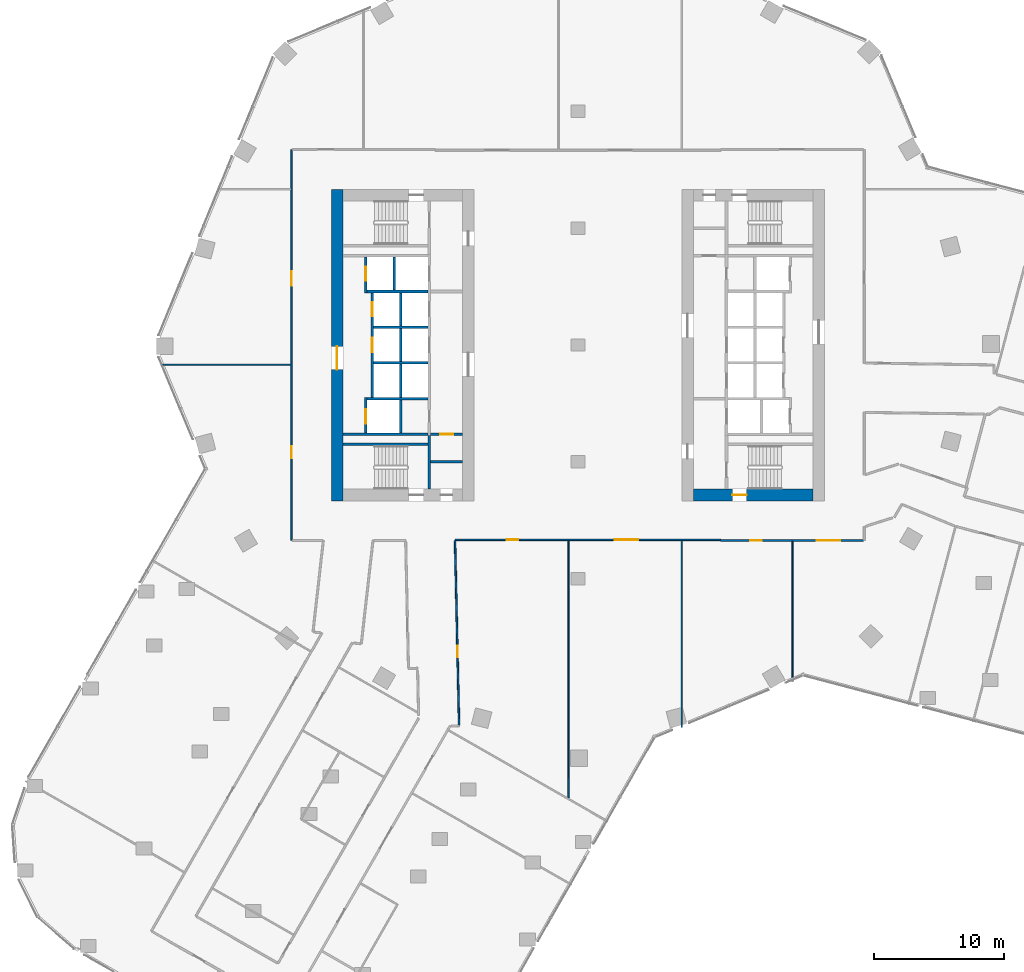
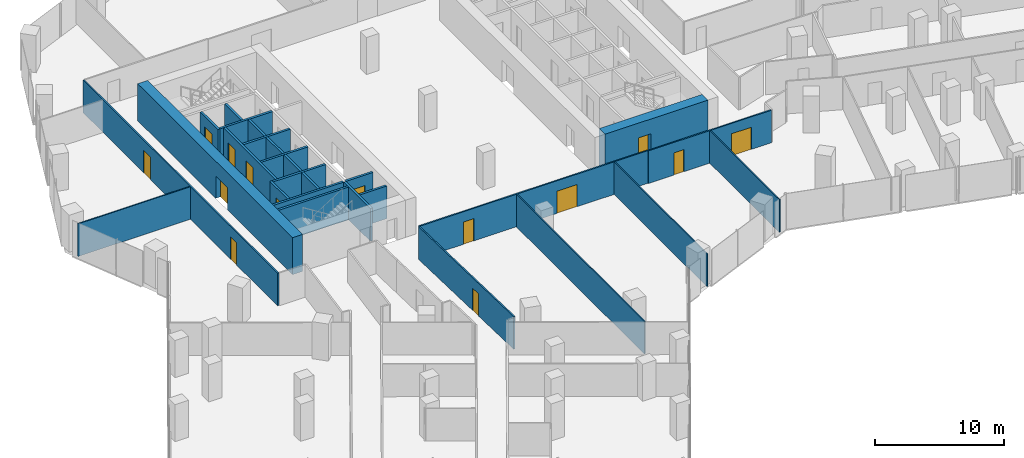
# One storey, part 27 of 34: 27 walls, 14 doors, 14 openings.
"""IFC4 building model written with IfcOpenShell, lengths in metres."""

import ifcopenshell
import ifcopenshell.guid

model = None  # the IFC model being written
_history = None  # IfcOwnerHistory: only IFC2X3 demands one
_inside = {}  # id of a spatial element -> (the spatial element, [elements in it])
_under = {}  # id of a project, library or spatial element -> (it, [spatial elements below it])
_declared = {}  # id of a project -> (the project, [libraries it declares])
_typed = {}  # id of a type object -> (the type object, [elements of that type])
_made_of = {}  # id of a material, layer set ... -> (it, [elements and type objects made of it])


def new_model(schema):
    """Start an empty IFC model of exactly this schema.

    Asked for "IFC4X3", IfcOpenShell would pick the latest addendum, in which some entities
    have other attributes; the version numbers below select the first issue.
    IFC2X3 requires an IfcOwnerHistory on every rooted entity: one is made here for all.
    """
    global model, _history
    if schema == "IFC4X3":
        model = ifcopenshell.file(schema_version=(4, 3, 0, 0))
    else:
        model = ifcopenshell.file(schema=schema)
    _inside.clear()
    _under.clear()
    _declared.clear()
    _typed.clear()
    _made_of.clear()
    _history = None
    if model.schema == "IFC2X3":
        org = make("IfcOrganization", Name="unknown")
        user = make(
            "IfcPersonAndOrganization",
            ThePerson=make("IfcPerson", FamilyName="unknown"),
            TheOrganization=org,
        )
        app = make(
            "IfcApplication",
            ApplicationDeveloper=org,
            Version="unknown",
            ApplicationFullName="unknown",
            ApplicationIdentifier="unknown",
        )
        _history = make(
            "IfcOwnerHistory",
            OwningUser=user,
            OwningApplication=app,
            ChangeAction="ADDED",
            CreationDate=0,
        )
    return model


def make(cls, **values):
    """One entity of the class cls with the attributes given. An attribute that is None is left unset."""
    return model.create_entity(
        cls, **{name: value for name, value in values.items() if value is not None}
    )


def rooted(cls, **values):
    """An entity with a GlobalId (a new one), such as an element, a storey or a relation."""
    return make(cls, GlobalId=ifcopenshell.guid.new(), OwnerHistory=_history, **values)


def si_unit(unit_type, name, prefix=None):
    """IfcSIUnit, for example si_unit("LENGTHUNIT", "METRE", prefix="MILLI")."""
    return make("IfcSIUnit", UnitType=unit_type, Prefix=prefix, Name=name)


def assignment(units):
    """IfcUnitAssignment: the units of a project."""
    return None if units is None else make("IfcUnitAssignment", Units=units)


def point(xyz):
    """IfcCartesianPoint."""
    return None if xyz is None else make("IfcCartesianPoint", Coordinates=xyz)


def direction(xyz):
    """IfcDirection."""
    return None if xyz is None else make("IfcDirection", DirectionRatios=xyz)


def frame(location, z_axis=None, x_axis=None):
    """IfcAxis2Placement3D, a coordinate frame: its origin and axes. An axis left out is left unset."""
    return make(
        "IfcAxis2Placement3D",
        Location=point(location),
        Axis=direction(z_axis),
        RefDirection=direction(x_axis),
    )


def frame_2d(location, x_axis=None):
    """IfcAxis2Placement2D, a coordinate frame in the plane: its origin and x axis."""
    return make(
        "IfcAxis2Placement2D", Location=point(location), RefDirection=direction(x_axis)
    )


def origin():
    """The frame at (0, 0, 0) with its axes left unset."""
    return frame((0.0, 0.0, 0.0))


def place(relative_to, where):
    """IfcLocalPlacement: puts the frame where relative to a parent placement (None: the world)."""
    return make(
        "IfcLocalPlacement", PlacementRelTo=relative_to, RelativePlacement=where
    )


def context(
    kind, dimensions, precision=None, world=None, true_north=None, identifier=None
):
    """IfcGeometricRepresentationContext, for example the 3D "Model" context."""
    return make(
        "IfcGeometricRepresentationContext",
        ContextIdentifier=identifier,
        ContextType=kind,
        CoordinateSpaceDimension=dimensions,
        Precision=precision,
        WorldCoordinateSystem=world,
        TrueNorth=true_north,
    )


def subcontext(parent, identifier, kind, view, scale=None):
    """IfcGeometricRepresentationSubContext, for example "Body" below "Model"."""
    return make(
        "IfcGeometricRepresentationSubContext",
        ContextIdentifier=identifier,
        ContextType=kind,
        ParentContext=parent,
        TargetScale=scale,
        TargetView=view,
    )


def project(units=None, contexts=None):
    """IfcProject with its units and contexts."""
    return rooted(
        "IfcProject",
        Name="project",
        RepresentationContexts=contexts,
        UnitsInContext=assignment(units),
    )


def spatial(cls, under=None, at=None, **own):
    """A site, building, storey or space (cls), placed at a placement, below another one or the project."""
    s = rooted(cls, ObjectPlacement=at, **own)
    if under is not None:
        _under.setdefault(under.id(), (under, []))[1].append(s)
    return s


def profile(cls, at=None, kind="AREA", **sizes):
    """A parametric profile (cls). Its sizes go by their IFC names, for example OverallWidth=200.0."""
    return make(cls, ProfileType=kind, Position=at, **sizes)


def rectangle(**sizes):
    """IfcRectangleProfileDef."""
    return profile("IfcRectangleProfileDef", **sizes)


def extrude(swept, where, along, depth):
    """IfcExtrudedAreaSolid: the profile swept, set in the frame where, extruded along a direction by depth."""
    return make(
        "IfcExtrudedAreaSolid",
        SweptArea=swept,
        Position=where,
        ExtrudedDirection=direction(along),
        Depth=depth,
    )


def shape(context_of_items, identifier, shape_type, items):
    """IfcShapeRepresentation: the items that make up one representation, for example the "Body"."""
    return make(
        "IfcShapeRepresentation",
        ContextOfItems=context_of_items,
        RepresentationIdentifier=identifier,
        RepresentationType=shape_type,
        Items=items,
    )


def material(Name=None, Category=None):
    """IfcMaterial."""
    return make("IfcMaterial", Name=Name, Category=Category)


def layer(
    of_material, thickness, ventilated=None, Name=None, Category=None, Priority=None
):
    """IfcMaterialLayer: one layer of a wall or slab, of a material (None: an air gap)."""
    return make(
        "IfcMaterialLayer",
        Material=of_material,
        LayerThickness=thickness,
        IsVentilated=ventilated,
        Name=Name,
        Category=Category,
        Priority=Priority,
    )


def layer_set(layers, Name=None):
    """IfcMaterialLayerSet."""
    return make("IfcMaterialLayerSet", MaterialLayers=layers, LayerSetName=Name)


def made_of(thing, what):
    """Note that an element or type object is made of a material, layer set ...; save() writes the relation."""
    if what is not None:
        _made_of.setdefault(what.id(), (what, []))[1].append(thing)
    return thing


def type_object(cls, material=None, **own):
    """A type object (cls), such as IfcWallType, which elements share."""
    return made_of(rooted(cls, **own), material)


def element(
    cls,
    number,
    at=None,
    inside=None,
    cuts=None,
    type_object=None,
    material=None,
    context=None,
    identifier="Body",
    shape_type=None,
    held_by="IfcProductDefinitionShape",
    body=None,
    shapes=None,
    **own,
):
    """One element of the class cls, such as IfcWall. Its Tag is "e" and its number.

    at: its placement. inside: the storey or other place that contains it. cuts: it is an
    opening in that element (IfcRelVoidsElement). A single representation is given by context,
    identifier, shape_type and body (its items); several are given by shapes. held_by: the class
    of the entity that holds the representations. save() writes the other relations.
    """
    e = rooted(cls, Tag="e%d" % number, ObjectPlacement=at, **own)
    if body is not None:
        shapes = [shape(context, identifier, shape_type, body)]
    if shapes is not None:
        e.Representation = make(held_by, Representations=shapes)
    if inside is not None:
        _inside.setdefault(inside.id(), (inside, []))[1].append(e)
    if cuts is not None:
        rooted(
            "IfcRelVoidsElement", RelatingBuildingElement=cuts, RelatedOpeningElement=e
        )
    if type_object is not None:
        _typed.setdefault(type_object.id(), (type_object, []))[1].append(e)
    return made_of(e, material)


def fill(opening, filler):
    """IfcRelFillsElement: the door or window that sits in an opening."""
    return rooted(
        "IfcRelFillsElement",
        RelatingOpeningElement=opening,
        RelatedBuildingElement=filler,
    )


def aggregate(whole, parts):
    """IfcRelAggregates: a whole, such as a stair, and the parts it consists of."""
    return rooted("IfcRelAggregates", RelatingObject=whole, RelatedObjects=parts)


def save(model, path):
    """Write the relations noted so far, then the file.

    IfcRelAggregates (storeys below a building ...), IfcRelContainedInSpatialStructure (elements
    in a storey), IfcRelDefinesByType, IfcRelAssociatesMaterial and IfcRelDeclares: one each for
    every whole, place, type object, material and project.
    """
    for whole, parts in _under.values():
        aggregate(whole, parts)
    for where, things in _inside.values():
        rooted(
            "IfcRelContainedInSpatialStructure",
            RelatedElements=things,
            RelatingStructure=where,
        )
    for kind, things in _typed.values():
        rooted("IfcRelDefinesByType", RelatedObjects=things, RelatingType=kind)
    for what, things in _made_of.values():
        rooted("IfcRelAssociatesMaterial", RelatedObjects=things, RelatingMaterial=what)
    for by, libraries in _declared.values():
        rooted("IfcRelDeclares", RelatingContext=by, RelatedDefinitions=libraries)
    model.write(path)


model = new_model("IFC4")

# Units and contexts
model_context = context("Model", 3, precision=1e-05, world=origin(), true_north=direction((0.0, 1.0)))
body_context = subcontext(model_context, "Body", "Model", "MODEL_VIEW")
ifc_project = project(units=[si_unit("LENGTHUNIT", "METRE"), si_unit("AREAUNIT", "SQUARE_METRE"), si_unit("VOLUMEUNIT", "CUBIC_METRE"), si_unit("PLANEANGLEUNIT", "RADIAN"), si_unit("MASSUNIT", "GRAM", prefix="KILO")], contexts=[model_context])

# Site, building, storey
site_placement = place(None, origin())
site = spatial("IfcSite", under=ifc_project, at=site_placement, CompositionType="ELEMENT")
building_placement = place(site_placement, origin())
building = spatial("IfcBuilding", under=site, at=building_placement, Name="Orlundy Tower", CompositionType="ELEMENT")
storey_placement = place(building_placement, frame((0.0, 0.0, 112.699951171875)))
storey = spatial("IfcBuildingStorey", under=building, at=storey_placement, Name="L28", CompositionType="ELEMENT", Elevation=112.699951171875)

# Wall, opening, door
ifc_material_1 = material(Name="Concrete C80/95", Category="concrete")
ifc_layer_1 = layer(ifc_material_1, 0.89990234375)
ifc_layer_set_1 = layer_set([ifc_layer_1], Name="CORE WALL 900 C80/95")
wall_type_1 = type_object("IfcWallType", Name="CORE WALL 900 C80/95", PredefinedType="SHEAR", material=ifc_layer_set_1)
wall_1_placement = place(storey_placement, frame((-18.550048828125, -12.0, 0.0), z_axis=(0.0, 0.0, 1.0), x_axis=(0.0, 1.0, 0.0)))
wall_1 = element("IfcWall", 1, at=wall_1_placement, inside=storey, type_object=wall_type_1, Name="Core wall W-W L28", PredefinedType="SHEAR", context=body_context, shape_type="SweptSolid", body=[
    extrude(rectangle(XDim=24.0, YDim=0.89990234375, at=frame_2d((12.0, 0.0))), origin(), (0.0, 0.0, 1.0), 3.5),
])
opening_1_placement = place(wall_1_placement, frame((10.10009765625, 0.0, 0.0)))
opening_1 = element("IfcOpeningElement", 2, at=opening_1_placement, cuts=wall_1, Name="Opening 21010", PredefinedType="OPENING", context=body_context, shape_type="SweptSolid", body=[
    extrude(rectangle(XDim=1.800048828125, YDim=2.10009765625, at=frame_2d((0.89990234375, 1.050048828125))), frame((0.0, 0.4599609375, 0.0), z_axis=(0.0, -1.0, 0.0), x_axis=(1.0, 0.0, 0.0)), (0.0, 0.0, 1.0), 0.919921875),
])
ifc_material_2 = material(Name="Timber door set", Category="wood")
door_type_1 = type_object("IfcDoorType", Name="Lobby Door 1800x2100", OperationType="DOUBLE_DOOR_DOUBLE_SWING", PredefinedType="DOOR", material=ifc_material_2)
door_1_placement = place(opening_1_placement, origin())
door_1 = element("IfcDoor", 3, at=door_1_placement, inside=storey, type_object=door_type_1, Name="Lift lobby door 21010", OperationType="SINGLE_SWING_LEFT", OverallHeight=2.10009765625, OverallWidth=1.800048828125, PredefinedType="DOOR", context=body_context, shape_type="SweptSolid", body=[
    extrude(rectangle(XDim=1.800048828125, YDim=2.10009765625, at=frame_2d((0.89990234375, 1.050048828125))), frame((0.0, 0.02490234375, 0.0), z_axis=(0.0, -1.0, 0.0), x_axis=(1.0, 0.0, 0.0)), (0.0, 0.0, 1.0), 0.050048828125),
])
fill(opening_1, door_1)

wall_2_placement = place(storey_placement, frame((8.89990234375, -11.550048828125, 0.0), z_axis=(0.0, 0.0, 1.0), x_axis=(1.0, 0.0, 0.0)))
wall_2 = element("IfcWall", 4, at=wall_2_placement, inside=storey, type_object=wall_type_1, Name="Core wall E-S L28", PredefinedType="SHEAR", context=body_context, shape_type="SweptSolid", body=[
    extrude(rectangle(XDim=9.2001953125, YDim=0.89990234375, at=frame_2d((4.60009765625, 0.0))), origin(), (0.0, 0.0, 1.0), 3.5),
])
opening_2_placement = place(wall_2_placement, frame((3.0, 0.0, 0.0)))
opening_2 = element("IfcOpeningElement", 5, at=opening_2_placement, cuts=wall_2, Name="Opening 21061", PredefinedType="OPENING", context=body_context, shape_type="SweptSolid", body=[
    extrude(rectangle(XDim=1.10009765625, YDim=2.10009765625, at=frame_2d((0.550048828125, 1.050048828125))), frame((0.0, 0.4599609375, 0.0), z_axis=(0.0, -1.0, 0.0), x_axis=(1.0, 0.0, 0.0)), (0.0, 0.0, 1.0), 0.919921875),
])
ifc_material_3 = material(Name="Steel door set", Category="steel")
door_type_2 = type_object("IfcDoorType", Name="Stair Door 1100x2100", OperationType="SINGLE_SWING_LEFT", PredefinedType="DOOR", material=ifc_material_3)
door_2_placement = place(opening_2_placement, origin())
door_2 = element("IfcDoor", 6, at=door_2_placement, inside=storey, type_object=door_type_2, Name="Stair door 21061", OperationType="SINGLE_SWING_LEFT", OverallHeight=2.10009765625, OverallWidth=1.10009765625, PredefinedType="DOOR", context=body_context, shape_type="SweptSolid", body=[
    extrude(rectangle(XDim=1.10009765625, YDim=2.10009765625, at=frame_2d((0.550048828125, 1.050048828125))), frame((0.0, 0.02490234375, 0.0), z_axis=(0.0, -1.0, 0.0), x_axis=(1.0, 0.0, 0.0)), (0.0, 0.0, 1.0), 0.050048828125),
])
fill(opening_2, door_2)

# Walls
ifc_material_4 = material(Name="Gypsum board partition")
ifc_layer_2 = layer(ifc_material_4, 0.10009765625)
ifc_layer_set_2 = layer_set([ifc_layer_2], Name="Floor partition 100")
wall_type_2 = type_object("IfcWallType", Name="Floor partition 100", PredefinedType="PARTITIONING", material=ifc_layer_set_2)
wall_3_placement = place(storey_placement, frame((-32.14599609375, -1.52392578125, 0.0), z_axis=(0.0, 0.0, 1.0), x_axis=(1.0, 0.0, 0.0)))
element("IfcWall", 7, at=wall_3_placement, inside=storey, type_object=wall_type_2, Name="wall-int-L28-035", PredefinedType="PARTITIONING", context=body_context, shape_type="SweptSolid", body=[
    extrude(rectangle(XDim=10.032958984375, YDim=0.10009765625, at=frame_2d((5.0166015625, 0.0))), origin(), (0.0, 0.0, 1.0), 3.080078125),
])
wall_4_placement = place(storey_placement, frame((16.52099609375, -25.882080078125, 0.0), z_axis=(0.0, 0.0, 1.0), x_axis=(0.0, 1.0, 0.0)))
element("IfcWall", 8, at=wall_4_placement, inside=storey, type_object=wall_type_2, Name="wall-int-L28-076", PredefinedType="PARTITIONING", context=body_context, shape_type="SweptSolid", body=[
    extrude(rectangle(XDim=10.76806640625, YDim=0.10009765625, at=frame_2d((5.384033203125, 0.0))), origin(), (0.0, 0.0, 1.0), 3.080078125),
])
wall_5_placement = place(storey_placement, frame((8.0, -29.44091796875, 0.0), z_axis=(0.0, 0.0, 1.0), x_axis=(0.0, 1.0, 0.0)))
element("IfcWall", 9, at=wall_5_placement, inside=storey, type_object=wall_type_2, Name="wall-int-L28-077", PredefinedType="PARTITIONING", context=body_context, shape_type="SweptSolid", body=[
    extrude(rectangle(XDim=14.3779296875, YDim=0.10009765625, at=frame_2d((7.18896484375, 0.0))), origin(), (0.0, 0.0, 1.0), 3.080078125),
])
wall_6_placement = place(storey_placement, frame((-0.735107421875, -34.8740234375, 0.0), z_axis=(0.0, 0.0, 1.0), x_axis=(6.1614294e-05, 0.999999998102, 0.0)))
element("IfcWall", 10, at=wall_6_placement, inside=storey, type_object=wall_type_2, Name="wall-int-L28-079", PredefinedType="PARTITIONING", context=body_context, shape_type="SweptSolid", body=[
    extrude(rectangle(XDim=19.81201171875, YDim=0.10009765625, at=frame_2d((9.906005859375, 0.0))), origin(), (0.0, 0.0, 1.0), 3.080078125),
])

# Wall, opening, door
ifc_material_5 = material(Name="Gypsum board partition, double layer")
ifc_layer_3 = layer(ifc_material_5, 0.125)
ifc_layer_set_3 = layer_set([ifc_layer_3], Name="Floor partition 125")
wall_type_3 = type_object("IfcWallType", Name="Floor partition 125", PredefinedType="PARTITIONING", material=ifc_layer_set_3)
wall_7_placement = place(storey_placement, frame((-9.467041015625, -15.06201171875, 0.0), z_axis=(0.0, 0.0, 1.0), x_axis=(0.021956487302, -0.999758927275, 0.0)))
wall_7 = element("IfcWall", 11, at=wall_7_placement, inside=storey, type_object=wall_type_3, Name="wall-int-L28-004", PredefinedType="PARTITIONING", context=body_context, shape_type="SweptSolid", body=[
    extrude(rectangle(XDim=14.21044921875, YDim=0.125, at=frame_2d((7.105224609375, 0.0))), origin(), (0.0, 0.0, 1.0), 3.080078125),
])
opening_3_placement = place(wall_7_placement, frame((8.09521484375, 0.0, 0.0)))
opening_3 = element("IfcOpeningElement", 12, at=opening_3_placement, cuts=wall_7, Name="Opening 21121", PredefinedType="OPENING", context=body_context, shape_type="SweptSolid", body=[
    extrude(rectangle(XDim=0.89990234375, YDim=2.10009765625, at=frame_2d((0.449951171875, 1.050048828125))), frame((0.0, 0.072509765625, 0.0), z_axis=(0.0, -1.0, 0.0), x_axis=(1.0, 0.0, 0.0)), (0.0, 0.0, 1.0), 0.14501953125),
])
ifc_material_6 = material(Name="Timber door leaf", Category="wood")
door_type_3 = type_object("IfcDoorType", Name="Floor door single 900 FD30S", OperationType="NOTDEFINED", PredefinedType="DOOR", material=ifc_material_6)
door_3_placement = place(opening_3_placement, origin())
door_3 = element("IfcDoor", 13, at=door_3_placement, inside=storey, type_object=door_type_3, Name="Door 21121", OperationType="SINGLE_SWING_RIGHT", OverallHeight=2.10009765625, OverallWidth=0.89990234375, PredefinedType="DOOR", context=body_context, shape_type="SweptSolid", body=[
    extrude(rectangle(XDim=0.89990234375, YDim=2.10009765625, at=frame_2d((0.449951171875, 1.050048828125))), frame((0.0, 0.02490234375, 0.0), z_axis=(0.0, -1.0, 0.0), x_axis=(1.0, 0.0, 0.0)), (0.0, 0.0, 1.0), 0.050048828125),
])
fill(opening_3, door_3)

# Wall, openings, doors
wall_8_placement = place(storey_placement, frame((21.988037109375, -15.051025390625, 0.0), z_axis=(0.0, 0.0, 1.0), x_axis=(-1.0, 0.0, 0.0)))
wall_8 = element("IfcWall", 14, at=wall_8_placement, inside=storey, type_object=wall_type_3, Name="wall-int-L28-033", PredefinedType="PARTITIONING", context=body_context, shape_type="SweptSolid", body=[
    extrude(rectangle(XDim=10.9970703125, YDim=0.125, at=frame_2d((5.49853515625, 0.0))), origin(), (0.0, 0.0, 1.0), 3.080078125),
])
opening_4_placement = place(wall_8_placement, frame((7.81640625, 0.0, 0.0)))
opening_4 = element("IfcOpeningElement", 15, at=opening_4_placement, cuts=wall_8, Name="Opening 21124", PredefinedType="OPENING", context=body_context, shape_type="SweptSolid", body=[
    extrude(rectangle(XDim=0.89990234375, YDim=2.10009765625, at=frame_2d((0.449951171875, 1.050048828125))), frame((0.0, 0.072509765625, 0.0), z_axis=(0.0, -1.0, 0.0), x_axis=(1.0, 0.0, 0.0)), (0.0, 0.0, 1.0), 0.14501953125),
])
opening_5_placement = place(wall_8_placement, frame((1.78759765625, 0.0, 0.0)))
opening_5 = element("IfcOpeningElement", 16, at=opening_5_placement, cuts=wall_8, Name="Opening 21125", PredefinedType="OPENING", context=body_context, shape_type="SweptSolid", body=[
    extrude(rectangle(XDim=1.800048828125, YDim=2.10009765625, at=frame_2d((0.89990234375, 1.050048828125))), frame((0.0, 0.072509765625, 0.0), z_axis=(0.0, -1.0, 0.0), x_axis=(1.0, 0.0, 0.0)), (0.0, 0.0, 1.0), 0.14501953125),
])
ifc_material_7 = material(Name="Timber door leaf", Category="wood")
door_type_4 = type_object("IfcDoorType", Name="Floor door double 1800 FD30S", OperationType="NOTDEFINED", PredefinedType="DOOR", material=ifc_material_7)
door_4_placement = place(opening_5_placement, origin())
door_4 = element("IfcDoor", 17, at=door_4_placement, inside=storey, type_object=door_type_4, Name="Door 21125", OperationType="DOUBLE_DOOR_SINGLE_SWING", OverallHeight=2.10009765625, OverallWidth=1.800048828125, PredefinedType="DOOR", context=body_context, shape_type="SweptSolid", body=[
    extrude(rectangle(XDim=1.800048828125, YDim=2.10009765625, at=frame_2d((0.89990234375, 1.050048828125))), frame((0.0, 0.02490234375, 0.0), z_axis=(0.0, -1.0, 0.0), x_axis=(1.0, 0.0, 0.0)), (0.0, 0.0, 1.0), 0.050048828125),
])
fill(opening_5, door_4)
door_5_placement = place(opening_4_placement, origin())
door_5 = element("IfcDoor", 18, at=door_5_placement, inside=storey, type_object=door_type_3, Name="Door 21124", OperationType="SINGLE_SWING_RIGHT", OverallHeight=2.10009765625, OverallWidth=0.89990234375, PredefinedType="DOOR", context=body_context, shape_type="SweptSolid", body=[
    extrude(rectangle(XDim=0.89990234375, YDim=2.10009765625, at=frame_2d((0.449951171875, 1.050048828125))), frame((0.0, 0.02490234375, 0.0), z_axis=(0.0, -1.0, 0.0), x_axis=(1.0, 0.0, 0.0)), (0.0, 0.0, 1.0), 0.050048828125),
])
fill(opening_4, door_5)

wall_9_placement = place(storey_placement, frame((10.989990234375, -15.0, 0.0), z_axis=(0.0, 0.0, 1.0), x_axis=(-1.0, 0.0, 0.0)))
wall_9 = element("IfcWall", 19, at=wall_9_placement, inside=storey, type_object=wall_type_3, Name="wall-int-L28-034", PredefinedType="PARTITIONING", context=body_context, shape_type="SweptSolid", body=[
    extrude(rectangle(XDim=20.4580078125, YDim=0.125, at=frame_2d((10.22900390625, 0.0))), origin(), (0.0, 0.0, 1.0), 3.080078125),
])
opening_6_placement = place(wall_9_placement, frame((15.573974609375, 0.0, 0.0)))
opening_6 = element("IfcOpeningElement", 20, at=opening_6_placement, cuts=wall_9, Name="Opening 21122", PredefinedType="OPENING", context=body_context, shape_type="SweptSolid", body=[
    extrude(rectangle(XDim=0.89990234375, YDim=2.10009765625, at=frame_2d((0.449951171875, 1.050048828125))), frame((0.0, 0.072509765625, 0.0), z_axis=(0.0, -1.0, 0.0), x_axis=(1.0, 0.0, 0.0)), (0.0, 0.0, 1.0), 0.14501953125),
])
opening_7_placement = place(wall_9_placement, frame((6.340087890625, 0.0, 0.0)))
opening_7 = element("IfcOpeningElement", 21, at=opening_7_placement, cuts=wall_9, Name="Opening 21123", PredefinedType="OPENING", context=body_context, shape_type="SweptSolid", body=[
    extrude(rectangle(XDim=1.800048828125, YDim=2.10009765625, at=frame_2d((0.89990234375, 1.050048828125))), frame((0.0, 0.072509765625, 0.0), z_axis=(0.0, -1.0, 0.0), x_axis=(1.0, 0.0, 0.0)), (0.0, 0.0, 1.0), 0.14501953125),
])
door_6_placement = place(opening_7_placement, origin())
door_6 = element("IfcDoor", 22, at=door_6_placement, inside=storey, type_object=door_type_4, Name="Door 21123", OperationType="DOUBLE_DOOR_SINGLE_SWING", OverallHeight=2.10009765625, OverallWidth=1.800048828125, PredefinedType="DOOR", context=body_context, shape_type="SweptSolid", body=[
    extrude(rectangle(XDim=1.800048828125, YDim=2.10009765625, at=frame_2d((0.89990234375, 1.050048828125))), frame((0.0, 0.02490234375, 0.0), z_axis=(0.0, -1.0, 0.0), x_axis=(1.0, 0.0, 0.0)), (0.0, 0.0, 1.0), 0.050048828125),
])
fill(opening_7, door_6)
door_7_placement = place(opening_6_placement, origin())
door_7 = element("IfcDoor", 23, at=door_7_placement, inside=storey, type_object=door_type_3, Name="Door 21122", OperationType="SINGLE_SWING_RIGHT", OverallHeight=2.10009765625, OverallWidth=0.89990234375, PredefinedType="DOOR", context=body_context, shape_type="SweptSolid", body=[
    extrude(rectangle(XDim=0.89990234375, YDim=2.10009765625, at=frame_2d((0.449951171875, 1.050048828125))), frame((0.0, 0.02490234375, 0.0), z_axis=(0.0, -1.0, 0.0), x_axis=(1.0, 0.0, 0.0)), (0.0, 0.0, 1.0), 0.050048828125),
])
fill(opening_6, door_7)

wall_10_placement = place(storey_placement, frame((-22.050048828125, -15.051025390625, 0.0), z_axis=(0.0, 0.0, 1.0), x_axis=(0.0, 1.0, 0.0)))
wall_10 = element("IfcWall", 24, at=wall_10_placement, inside=storey, type_object=wall_type_3, Name="wall-int-L28-082", PredefinedType="PARTITIONING", context=body_context, shape_type="SweptSolid", body=[
    extrude(rectangle(XDim=30.10205078125, YDim=0.125, at=frame_2d((15.051025390625, 0.0))), origin(), (0.0, 0.0, 1.0), 3.080078125),
])
opening_8_placement = place(wall_10_placement, frame((6.35009765625, 0.0, 0.0)))
opening_8 = element("IfcOpeningElement", 25, at=opening_8_placement, cuts=wall_10, Name="Opening 21119", PredefinedType="OPENING", context=body_context, shape_type="SweptSolid", body=[
    extrude(rectangle(XDim=0.89990234375, YDim=2.10009765625, at=frame_2d((0.449951171875, 1.050048828125))), frame((0.0, 0.072509765625, 0.0), z_axis=(0.0, -1.0, 0.0), x_axis=(1.0, 0.0, 0.0)), (0.0, 0.0, 1.0), 0.14501953125),
])
opening_9_placement = place(wall_10_placement, frame((19.626953125, 0.0, 0.0)))
opening_9 = element("IfcOpeningElement", 26, at=opening_9_placement, cuts=wall_10, Name="Opening 21133", PredefinedType="OPENING", context=body_context, shape_type="SweptSolid", body=[
    extrude(rectangle(XDim=1.10009765625, YDim=2.10009765625, at=frame_2d((0.550048828125, 1.050048828125))), frame((0.0, 0.072509765625, 0.0), z_axis=(0.0, -1.0, 0.0), x_axis=(1.0, 0.0, 0.0)), (0.0, 0.0, 1.0), 0.14501953125),
])
door_8_placement = place(opening_8_placement, origin())
door_8 = element("IfcDoor", 27, at=door_8_placement, inside=storey, type_object=door_type_3, Name="Door 21119", OperationType="SINGLE_SWING_LEFT", OverallHeight=2.10009765625, OverallWidth=0.89990234375, PredefinedType="DOOR", context=body_context, shape_type="SweptSolid", body=[
    extrude(rectangle(XDim=0.89990234375, YDim=2.10009765625, at=frame_2d((0.449951171875, 1.050048828125))), frame((0.0, 0.02490234375, 0.0), z_axis=(0.0, -1.0, 0.0), x_axis=(1.0, 0.0, 0.0)), (0.0, 0.0, 1.0), 0.050048828125),
])
fill(opening_8, door_8)
ifc_material_8 = material(Name="Timber door leaf", Category="wood")
door_type_5 = type_object("IfcDoorType", Name="Floor door xwide 1100 FD30S", OperationType="NOTDEFINED", PredefinedType="DOOR", material=ifc_material_8)
door_9_placement = place(opening_9_placement, origin())
door_9 = element("IfcDoor", 28, at=door_9_placement, inside=storey, type_object=door_type_5, Name="Door 21133", OperationType="SINGLE_SWING_RIGHT", OverallHeight=2.10009765625, OverallWidth=1.10009765625, PredefinedType="DOOR", context=body_context, shape_type="SweptSolid", body=[
    extrude(rectangle(XDim=1.10009765625, YDim=2.10009765625, at=frame_2d((0.550048828125, 1.050048828125))), frame((0.0, 0.02490234375, 0.0), z_axis=(0.0, -1.0, 0.0), x_axis=(1.0, 0.0, 0.0)), (0.0, 0.0, 1.0), 0.050048828125),
])
fill(opening_9, door_9)

# Walls
ifc_material_9 = material(Name="Concrete C40/50", Category="concrete")
ifc_layer_4 = layer(ifc_material_9, 0.199951171875)
ifc_layer_set_4 = layer_set([ifc_layer_4], Name="Load-bearing Shaft Wall 200")
wall_type_4 = type_object("IfcWallType", Name="Load-bearing Shaft Wall 200", PredefinedType="SOLIDWALL", material=ifc_layer_set_4)
wall_11_placement = place(storey_placement, frame((-11.43994140625, -11.10009765625, 0.0), z_axis=(0.0, 0.0, 1.0), x_axis=(0.0, 1.0, 0.0)))
element("IfcWall", 29, at=wall_11_placement, inside=storey, type_object=wall_type_4, Name="Shaft wall W21-stair-end-s", PredefinedType="SOLIDWALL", context=body_context, shape_type="SweptSolid", body=[
    extrude(rectangle(XDim=4.125, YDim=0.199951171875, at=frame_2d((2.0625, 0.0))), origin(), (0.0, 0.0, 1.0), 3.090087890625),
])
wall_12_placement = place(storey_placement, frame((-11.5400390625, -7.64990234375, 0.0), z_axis=(0.0, 0.0, 1.0), x_axis=(-1.0, 0.0, 0.0)))
element("IfcWall", 30, at=wall_12_placement, inside=storey, type_object=wall_type_4, Name="Shaft wall W21-stair-side-s", PredefinedType="SOLIDWALL", context=body_context, shape_type="SweptSolid", body=[
    extrude(rectangle(XDim=6.56005859375, YDim=0.199951171875, at=frame_2d((3.280029296875, 0.0))), origin(), (0.0, 0.0, 1.0), 3.090087890625),
])

# Wall, opening, door
ifc_material_10 = material(Name="Gypsum board partition on steel studs", Category="steel")
ifc_layer_5 = layer(ifc_material_10, 0.199951171875)
ifc_layer_set_5 = layer_set([ifc_layer_5], Name="Partition 200")
wall_type_5 = type_object("IfcWallType", Name="Partition 200", PredefinedType="PARTITIONING", material=ifc_layer_set_5)
wall_13_placement = place(storey_placement, frame((-8.89990234375, -6.875, 0.0), z_axis=(0.0, 0.0, 1.0), x_axis=(-1.0, 0.0, 0.0)))
wall_13 = element("IfcWall", 31, at=wall_13_placement, inside=storey, type_object=wall_type_5, Name="Partition wall W21-end-s", PredefinedType="PARTITIONING", context=body_context, shape_type="SweptSolid", body=[
    extrude(rectangle(XDim=2.440185546875, YDim=0.199951171875, at=frame_2d((1.22021484375, 0.0))), origin(), (0.0, 0.0, 1.0), 3.090087890625),
])
opening_10_placement = place(wall_13_placement, frame((0.719970703125, 0.0, 0.0)))
opening_10 = element("IfcOpeningElement", 32, at=opening_10_placement, cuts=wall_13, Name="Opening 21016", PredefinedType="OPENING", context=body_context, shape_type="SweptSolid", body=[
    extrude(rectangle(XDim=1.0, YDim=2.10009765625, at=frame_2d((0.5, 1.050048828125))), frame((0.0, 0.110107421875, 0.0), z_axis=(0.0, -1.0, 0.0), x_axis=(1.0, 0.0, 0.0)), (0.0, 0.0, 1.0), 0.22021484375),
])
ifc_material_11 = material(Name="Timber door set", Category="wood")
door_type_6 = type_object("IfcDoorType", Name="Accessible Door 1000x2100", OperationType="SINGLE_SWING_LEFT", PredefinedType="DOOR", material=ifc_material_11)
door_10_placement = place(opening_10_placement, origin())
door_10 = element("IfcDoor", 33, at=door_10_placement, inside=storey, type_object=door_type_6, Name="Accessible WC door 21016", OperationType="SINGLE_SWING_RIGHT", OverallHeight=2.10009765625, OverallWidth=1.0, PredefinedType="DOOR", context=body_context, shape_type="SweptSolid", body=[
    extrude(rectangle(XDim=1.0, YDim=2.10009765625, at=frame_2d((0.5, 1.050048828125))), frame((0.0, 0.02490234375, 0.0), z_axis=(0.0, -1.0, 0.0), x_axis=(1.0, 0.0, 0.0)), (0.0, 0.0, 1.0), 0.050048828125),
])
fill(opening_10, door_10)

# Walls
wall_14_placement = place(storey_placement, frame((-8.89990234375, -9.0, 0.0), z_axis=(0.0, 0.0, 1.0), x_axis=(-1.0, 0.0, 0.0)))
element("IfcWall", 34, at=wall_14_placement, inside=storey, type_object=wall_type_5, Name="Partition wall W21-room-s0", PredefinedType="PARTITIONING", context=body_context, shape_type="SweptSolid", body=[
    extrude(rectangle(XDim=2.440185546875, YDim=0.199951171875, at=frame_2d((1.22021484375, 0.0))), origin(), (0.0, 0.0, 1.0), 3.090087890625),
])
ifc_material_12 = material(Name="Fire-rated blockwork shaft wall", Category="masonry")
ifc_layer_6 = layer(ifc_material_12, 0.199951171875)
ifc_layer_set_6 = layer_set([ifc_layer_6], Name="Shaft Wall 200")
wall_type_6 = type_object("IfcWallType", Name="Shaft Wall 200", PredefinedType="SOLIDWALL", material=ifc_layer_set_6)
wall_15_placement = place(storey_placement, frame((-11.5400390625, -6.875, 0.0), z_axis=(0.0, 0.0, 1.0), x_axis=(-1.0, 0.0, 0.0)))
element("IfcWall", 35, at=wall_15_placement, inside=storey, type_object=wall_type_6, Name="Shaft wall W21-zone-s", PredefinedType="SOLIDWALL", context=body_context, shape_type="SweptSolid", body=[
    extrude(rectangle(XDim=6.56005859375, YDim=0.199951171875, at=frame_2d((3.280029296875, 0.0))), origin(), (0.0, 0.0, 1.0), 3.090087890625),
])
wall_16_placement = place(storey_placement, frame((-11.5400390625, -4.125, 0.0), z_axis=(0.0, 0.0, 1.0), x_axis=(-1.0, 0.0, 0.0)))
element("IfcWall", 36, at=wall_16_placement, inside=storey, type_object=wall_type_6, Name="Shaft wall W21-cross-4.125", PredefinedType="SOLIDWALL", context=body_context, shape_type="SweptSolid", body=[
    extrude(rectangle(XDim=4.699951171875, YDim=0.199951171875, at=frame_2d((2.35009765625, 0.0))), origin(), (0.0, 0.0, 1.0), 3.090087890625),
])
for number, where, z_axis, x_axis, name in (
    (37, (-11.5400390625, -1.375, 0.0), (0.0, 0.0, 1.0), (-1.0, 0.0, 0.0), "Shaft wall W21-cross-1.375"),
    (38, (-11.5400390625, 1.375, 0.0), (0.0, 0.0, 1.0), (-1.0, 0.0, 0.0), "Shaft wall W21-cross+1.375"),
):
    element("IfcWall", number, at=place(storey_placement, frame(where, z_axis=z_axis, x_axis=x_axis)), inside=storey, type_object=wall_type_6, Name=name, PredefinedType="SOLIDWALL", context=body_context, shape_type="SweptSolid", body=[
        extrude(rectangle(XDim=4.199951171875, YDim=0.199951171875, at=frame_2d((2.10009765625, 0.0))), origin(), (0.0, 0.0, 1.0), 3.090087890625),
    ])
wall_17_placement = place(storey_placement, frame((-11.5400390625, 4.125, 0.0), z_axis=(0.0, 0.0, 1.0), x_axis=(-1.0, 0.0, 0.0)))
element("IfcWall", 39, at=wall_17_placement, inside=storey, type_object=wall_type_6, Name="Shaft wall W21-cross+4.125", PredefinedType="SOLIDWALL", context=body_context, shape_type="SweptSolid", body=[
    extrude(rectangle(XDim=4.699951171875, YDim=0.199951171875, at=frame_2d((2.35009765625, 0.0))), origin(), (0.0, 0.0, 1.0), 3.090087890625),
])
for number, where, z_axis, x_axis, name in (
    (40, (-13.639892578125, -6.77490234375, 0.0), (0.0, 0.0, 1.0), (0.0, 1.0, 0.0), "Shaft wall W21-mid-a"),
    (41, (-13.639892578125, -4.02490234375, 0.0), (0.0, 0.0, 1.0), (0.0, 1.0, 0.0), "Shaft wall W21-mid-a.1"),
    (42, (-13.639892578125, -1.27490234375, 0.0), (0.0, 0.0, 1.0), (0.0, 1.0, 0.0), "Shaft wall W21-mid-a.2"),
    (43, (-13.639892578125, 1.47509765625, 0.0), (0.0, 0.0, 1.0), (0.0, 1.0, 0.0), "Shaft wall W21-mid-a.3"),
    (44, (-14.139892578125, 4.22509765625, 0.0), (0.0, 0.0, 1.0), (0.0, 1.0, 0.0), "Shaft wall W21-mid-b"),
):
    element("IfcWall", number, at=place(storey_placement, frame(where, z_axis=z_axis, x_axis=x_axis)), inside=storey, type_object=wall_type_6, Name=name, PredefinedType="SOLIDWALL", context=body_context, shape_type="SweptSolid", body=[
        extrude(rectangle(XDim=2.5498046875, YDim=0.199951171875, at=frame_2d((1.27490234375, 0.0))), origin(), (0.0, 0.0, 1.0), 3.090087890625),
    ])

# Wall, opening, door
wall_18_placement = place(storey_placement, frame((-16.340087890625, -6.77490234375, 0.0), z_axis=(0.0, 0.0, 1.0), x_axis=(0.0, 1.0, 0.0)))
wall_18 = element("IfcWall", 45, at=wall_18_placement, inside=storey, type_object=wall_type_6, Name="Shaft wall W21-front-o-a", PredefinedType="SOLIDWALL", context=body_context, shape_type="SweptSolid", body=[
    extrude(rectangle(XDim=2.75, YDim=0.199951171875, at=frame_2d((1.375, 0.0))), origin(), (0.0, 0.0, 1.0), 3.090087890625),
])
opening_11_placement = place(wall_18_placement, frame((0.72509765625, 0.0, 0.0)))
opening_11 = element("IfcOpeningElement", 46, at=opening_11_placement, cuts=wall_18, Name="Opening 21001", PredefinedType="OPENING", context=body_context, shape_type="SweptSolid", body=[
    extrude(rectangle(XDim=1.10009765625, YDim=2.10009765625, at=frame_2d((0.550048828125, 1.050048828125))), frame((0.0, 0.110107421875, 0.0), z_axis=(0.0, -1.0, 0.0), x_axis=(1.0, 0.0, 0.0)), (0.0, 0.0, 1.0), 0.22021484375),
])
ifc_material_13 = material(Name="Steel door set", Category="steel")
door_type_7 = type_object("IfcDoorType", Name="Landing Door 1100x2100", OperationType="DOUBLE_DOOR_SLIDING", PredefinedType="DOOR", material=ifc_material_13)
door_11_placement = place(opening_11_placement, origin())
door_11 = element("IfcDoor", 47, at=door_11_placement, inside=storey, type_object=door_type_7, Name="Lift landing door LV-01 21001", OperationType="DOUBLE_DOOR_SLIDING", OverallHeight=2.10009765625, OverallWidth=1.10009765625, PredefinedType="DOOR", context=body_context, shape_type="SweptSolid", body=[
    extrude(rectangle(XDim=1.10009765625, YDim=2.10009765625, at=frame_2d((0.550048828125, 1.050048828125))), frame((0.0, 0.02490234375, 0.0), z_axis=(0.0, -1.0, 0.0), x_axis=(1.0, 0.0, 0.0)), (0.0, 0.0, 1.0), 0.050048828125),
])
fill(opening_11, door_11)

# Wall, openings, doors
wall_19_placement = place(storey_placement, frame((-15.840087890625, -4.02490234375, 0.0), z_axis=(0.0, 0.0, 1.0), x_axis=(0.0, 1.0, 0.0)))
wall_19 = element("IfcWall", 48, at=wall_19_placement, inside=storey, type_object=wall_type_6, Name="Shaft wall W21-front-o-b", PredefinedType="SOLIDWALL", context=body_context, shape_type="SweptSolid", body=[
    extrude(rectangle(XDim=8.0498046875, YDim=0.199951171875, at=frame_2d((4.02490234375, 0.0))), origin(), (0.0, 0.0, 1.0), 3.090087890625),
])
opening_12_placement = place(wall_19_placement, frame((3.47509765625, 0.0, 0.0)))
opening_12 = element("IfcOpeningElement", 49, at=opening_12_placement, cuts=wall_19, Name="Opening 21003", PredefinedType="OPENING", context=body_context, shape_type="SweptSolid", body=[
    extrude(rectangle(XDim=1.10009765625, YDim=2.10009765625, at=frame_2d((0.550048828125, 1.050048828125))), frame((0.0, 0.110107421875, 0.0), z_axis=(0.0, -1.0, 0.0), x_axis=(1.0, 0.0, 0.0)), (0.0, 0.0, 1.0), 0.22021484375),
])
opening_13_placement = place(wall_19_placement, frame((6.22509765625, 0.0, 0.0)))
opening_13 = element("IfcOpeningElement", 50, at=opening_13_placement, cuts=wall_19, Name="Opening 21005", PredefinedType="OPENING", context=body_context, shape_type="SweptSolid", body=[
    extrude(rectangle(XDim=1.10009765625, YDim=2.10009765625, at=frame_2d((0.550048828125, 1.050048828125))), frame((0.0, 0.110107421875, 0.0), z_axis=(0.0, -1.0, 0.0), x_axis=(1.0, 0.0, 0.0)), (0.0, 0.0, 1.0), 0.22021484375),
])
door_12_placement = place(opening_12_placement, origin())
door_12 = element("IfcDoor", 51, at=door_12_placement, inside=storey, type_object=door_type_7, Name="Lift landing door LP-01 21003", OperationType="DOUBLE_DOOR_SLIDING", OverallHeight=2.10009765625, OverallWidth=1.10009765625, PredefinedType="DOOR", context=body_context, shape_type="SweptSolid", body=[
    extrude(rectangle(XDim=1.10009765625, YDim=2.10009765625, at=frame_2d((0.550048828125, 1.050048828125))), frame((0.0, 0.02490234375, 0.0), z_axis=(0.0, -1.0, 0.0), x_axis=(1.0, 0.0, 0.0)), (0.0, 0.0, 1.0), 0.050048828125),
])
fill(opening_12, door_12)
door_13_placement = place(opening_13_placement, origin())
door_13 = element("IfcDoor", 52, at=door_13_placement, inside=storey, type_object=door_type_7, Name="Lift landing door LP-03 21005", OperationType="DOUBLE_DOOR_SLIDING", OverallHeight=2.10009765625, OverallWidth=1.10009765625, PredefinedType="DOOR", context=body_context, shape_type="SweptSolid", body=[
    extrude(rectangle(XDim=1.10009765625, YDim=2.10009765625, at=frame_2d((0.550048828125, 1.050048828125))), frame((0.0, 0.02490234375, 0.0), z_axis=(0.0, -1.0, 0.0), x_axis=(1.0, 0.0, 0.0)), (0.0, 0.0, 1.0), 0.050048828125),
])
fill(opening_13, door_13)

# Wall, opening, door
wall_20_placement = place(storey_placement, frame((-16.340087890625, 4.02490234375, 0.0), z_axis=(0.0, 0.0, 1.0), x_axis=(0.0, 1.0, 0.0)))
wall_20 = element("IfcWall", 53, at=wall_20_placement, inside=storey, type_object=wall_type_6, Name="Shaft wall W21-front-o-c", PredefinedType="SOLIDWALL", context=body_context, shape_type="SweptSolid", body=[
    extrude(rectangle(XDim=2.75, YDim=0.199951171875, at=frame_2d((1.375, 0.0))), origin(), (0.0, 0.0, 1.0), 3.090087890625),
])
opening_14_placement = place(wall_20_placement, frame((0.925048828125, 0.0, 0.0)))
opening_14 = element("IfcOpeningElement", 54, at=opening_14_placement, cuts=wall_20, Name="Opening 21007", PredefinedType="OPENING", context=body_context, shape_type="SweptSolid", body=[
    extrude(rectangle(XDim=1.10009765625, YDim=2.10009765625, at=frame_2d((0.550048828125, 1.050048828125))), frame((0.0, 0.110107421875, 0.0), z_axis=(0.0, -1.0, 0.0), x_axis=(1.0, 0.0, 0.0)), (0.0, 0.0, 1.0), 0.22021484375),
])
door_14_placement = place(opening_14_placement, origin())
door_14 = element("IfcDoor", 55, at=door_14_placement, inside=storey, type_object=door_type_7, Name="Lift landing door LP-04 21007", OperationType="DOUBLE_DOOR_SLIDING", OverallHeight=2.10009765625, OverallWidth=1.10009765625, PredefinedType="DOOR", context=body_context, shape_type="SweptSolid", body=[
    extrude(rectangle(XDim=1.10009765625, YDim=2.10009765625, at=frame_2d((0.550048828125, 1.050048828125))), frame((0.0, 0.02490234375, 0.0), z_axis=(0.0, -1.0, 0.0), x_axis=(1.0, 0.0, 0.0)), (0.0, 0.0, 1.0), 0.050048828125),
])
fill(opening_14, door_14)

save(model, "model.ifc")
